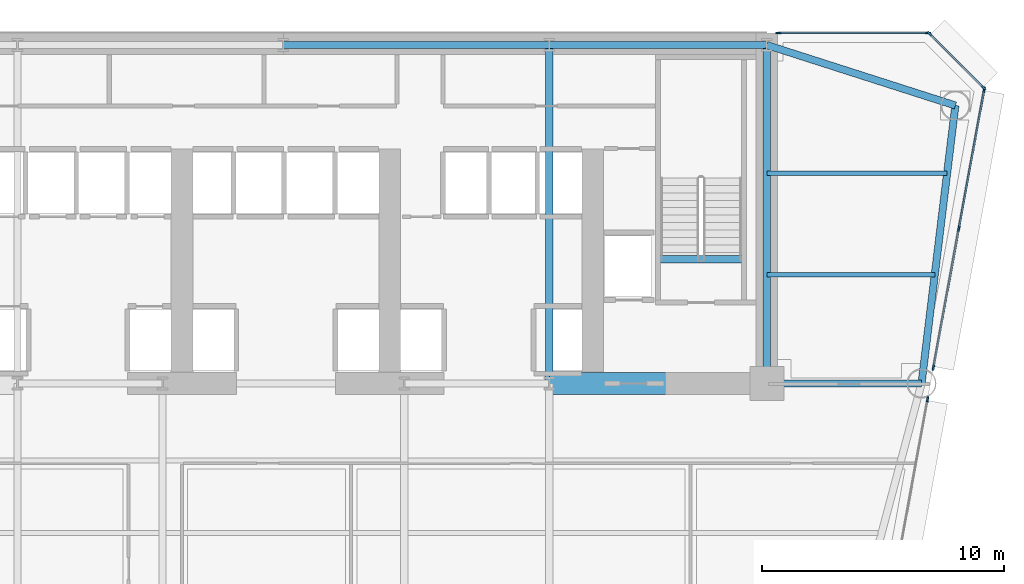
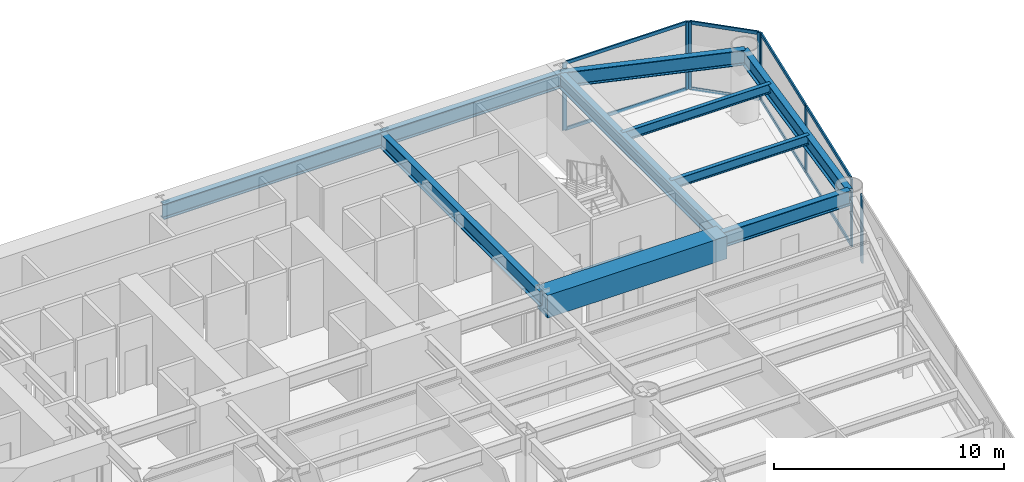
# One storey, part 6 of 14: 16 members, 11 beams, 4 elements without a shape of their own.
"""IFC4 building model written with IfcOpenShell, lengths in metres."""

from ifc_helpers import new_model, si_unit, direction, frame, origin, origin_2d, place, context, subcontext, project, spatial, rectangle, i_section, extrude, source, transform, mapped, material, layer, layer_set, material_profile, profile_set, type_object, element, aggregate, save


model = new_model("IFC4")

# Units and contexts
model_context = context("Model", 3, precision=1e-05, world=origin(), true_north=direction((0.0, 1.0)))
body_context = subcontext(model_context, "Body", "Model", "MODEL_VIEW")
ifc_project = project(units=[si_unit("LENGTHUNIT", "METRE"), si_unit("AREAUNIT", "SQUARE_METRE"), si_unit("VOLUMEUNIT", "CUBIC_METRE"), si_unit("PLANEANGLEUNIT", "RADIAN"), si_unit("MASSUNIT", "GRAM", prefix="KILO")], contexts=[model_context])

# Site, building, storey
site_placement = place(None, origin())
site = spatial("IfcSite", under=ifc_project, at=site_placement, CompositionType="ELEMENT")
building_placement = place(site_placement, origin())
building = spatial("IfcBuilding", under=site, at=building_placement, Name="Vaeldorn Concourse Tower", CompositionType="ELEMENT")
storey_placement = place(building_placement, frame((0.0, 0.0, 72.0)))
storey = spatial("IfcBuildingStorey", under=building, at=storey_placement, Name="L18", CompositionType="ELEMENT", Elevation=72.0)

# Beams
ifc_material_1 = material(Name="Concrete C60/75", Category="concrete")
ifc_material_profile_1 = material_profile(ifc_material_1, rectangle(XDim=0.89990234375, YDim=1.199951171875, at=origin_2d()), Name="RC 900x1200")
ifc_profile_set_1 = profile_set([ifc_material_profile_1], Name="Concrete C60/75")
beam_type_1 = type_object("IfcBeamType", Name="BM-CB-RC900", PredefinedType="BEAM", material=ifc_profile_set_1)
shared_shape_1 = source(origin(), body_context, "Body", "SweptSolid", [
    extrude(rectangle(XDim=0.89990234375, YDim=1.199951171875, at=origin_2d()), origin(), (0.0, 0.0, 1.0), 9.0),
])
beam_1_placement = place(storey_placement, frame((45.0, 36.5, 2.97998046875), z_axis=(1.0, 0.0, 0.0), x_axis=(0.0, 1.0, 0.0)))
element("IfcBeam", 1, at=beam_1_placement, inside=storey, type_object=beam_type_1, Name="Core Coupling Beam L18-2", PredefinedType="BEAM", context=body_context, shape_type="MappedRepresentation", body=[
    mapped(shared_shape_1, transform((0.0, 0.0, 0.0), scale=1.0)),
])
ifc_material_2 = material(Name="Steel S355", Category="steel")
ifc_material_profile_2 = material_profile(ifc_material_2, i_section(OverallWidth=0.300048828125, OverallDepth=0.340087890625, WebThickness=0.011962890625, FlangeThickness=0.021484375, FilletRadius=0.027099609375, at=origin_2d()), Name="HEB 340")
ifc_profile_set_2 = profile_set([ifc_material_profile_2], Name="Steel S355")
beam_type_2 = type_object("IfcBeamType", Name="BM-ST-TRIM", PredefinedType="BEAM", material=ifc_profile_set_2)
shared_shape_2 = source(origin(), body_context, "Body", "SweptSolid", [
    extrude(i_section(OverallWidth=0.300048828125, OverallDepth=0.340087890625, WebThickness=0.011962890625, FlangeThickness=0.021484375, FilletRadius=0.027099609375, at=origin_2d()), origin(), (0.0, 0.0, 1.0), 3.590087890625),
])
beam_2_placement = place(storey_placement, frame((49.47998046875, 41.639892578125, -0.389892578125), z_axis=(1.0, 0.0, 0.0), x_axis=(0.0, 1.0, 0.0)))
element("IfcBeam", 2, at=beam_2_placement, inside=storey, type_object=beam_type_2, Name="Stair Landing Trimmer Beam ST-2 L18", PredefinedType="BEAM", context=body_context, shape_type="MappedRepresentation", body=[
    mapped(shared_shape_2, transform((0.0, 0.0, 0.0), scale=1.0)),
])
ifc_material_profile_3 = material_profile(ifc_material_2, i_section(OverallWidth=0.300048828125, OverallDepth=0.800048828125, WebThickness=0.017578125, FlangeThickness=0.032958984375, FilletRadius=0.030029296875, at=origin_2d()), Name="HEB 800")
ifc_profile_set_3 = profile_set([ifc_material_profile_3], Name="Steel S355")
beam_type_3 = type_object("IfcBeamType", Name="BM-PG-HEB800", PredefinedType="BEAM", material=ifc_profile_set_3)
shared_shape_3 = source(origin(), body_context, "Body", "SweptSolid", [
    extrude(i_section(OverallWidth=0.300048828125, OverallDepth=0.800048828125, WebThickness=0.017578125, FlangeThickness=0.032958984375, FilletRadius=0.030029296875, at=origin_2d()), origin(), (0.0, 0.0, 1.0), 9.0),
])
beam_3_placement = place(storey_placement, frame((45.0, 50.5, 3.179931640625), z_axis=(1.0, 0.0, 0.0), x_axis=(0.0, 1.0, 0.0)))
element("IfcBeam", 3, at=beam_3_placement, inside=storey, type_object=beam_type_3, Name="Beam BM-L18-C-HC4-C-HC5", PredefinedType="BEAM", context=body_context, shape_type="MappedRepresentation", body=[
    mapped(shared_shape_3, transform((0.0, 0.0, 0.0), scale=1.0)),
])
shared_shape_4 = source(origin(), body_context, "Body", "SweptSolid", [
    extrude(i_section(OverallWidth=0.300048828125, OverallDepth=0.800048828125, WebThickness=0.017578125, FlangeThickness=0.032958984375, FilletRadius=0.030029296875, at=origin_2d()), origin(), (0.0, 0.0, 1.0), 11.0),
])
beam_4_placement = place(storey_placement, frame((34.0, 50.5, 3.179931640625), z_axis=(1.0, 0.0, 0.0), x_axis=(0.0, 1.0, 0.0)))
element("IfcBeam", 4, at=beam_4_placement, inside=storey, type_object=beam_type_3, Name="Beam BM-L18-C-HC3-C-HC4", PredefinedType="BEAM", context=body_context, shape_type="MappedRepresentation", body=[
    mapped(shared_shape_4, transform((0.0, 0.0, 0.0), scale=1.0)),
])
shared_shape_5 = source(origin(), body_context, "Body", "SweptSolid", [
    extrude(i_section(OverallWidth=0.300048828125, OverallDepth=0.800048828125, WebThickness=0.017578125, FlangeThickness=0.032958984375, FilletRadius=0.030029296875, at=origin_2d()), origin(), (0.0, 0.0, 1.0), 14.0),
])
for number, where, z_axis, x_axis, name in (
    (5, (45.0, 36.5, 3.179931640625), (0.0, 1.0, 0.0), (-1.0, 0.0, 0.0), "Beam BM-L18-C-FC5-C-HC4"),
    (6, (54.0, 36.5, 3.179931640625), (0.0, 1.0, 0.0), (-1.0, 0.0, 0.0), "Beam BM-L18-C-FC6-C-HC5"),
):
    element("IfcBeam", number, at=place(storey_placement, frame(where, z_axis=z_axis, x_axis=x_axis)), inside=storey, type_object=beam_type_3, Name=name, PredefinedType="BEAM", context=body_context, shape_type="MappedRepresentation", body=[
        mapped(shared_shape_5, transform((0.0, 0.0, 0.0), scale=1.0)),
    ])
shared_shape_6 = source(origin(), body_context, "Body", "SweptSolid", [
    extrude(i_section(OverallWidth=0.300048828125, OverallDepth=0.800048828125, WebThickness=0.017578125, FlangeThickness=0.032958984375, FilletRadius=0.030029296875, at=origin_2d()), origin(), (0.0, 0.0, 1.0), 8.19091796875),
])
beam_5_placement = place(storey_placement, frame((54.0, 50.5, 3.179931640625), z_axis=(0.952282843383, -0.305216949396, 0.0), x_axis=(0.305216949396, 0.952282843383, 0.0)))
element("IfcBeam", 7, at=beam_5_placement, inside=storey, type_object=beam_type_3, Name="Beam BM-L18-C-HC5-C-NE1", PredefinedType="BEAM", context=body_context, shape_type="MappedRepresentation", body=[
    mapped(shared_shape_6, transform((0.0, 0.0, 0.0), scale=1.0)),
])
shared_shape_7 = source(origin(), body_context, "Body", "SweptSolid", [
    extrude(i_section(OverallWidth=0.300048828125, OverallDepth=0.800048828125, WebThickness=0.017578125, FlangeThickness=0.032958984375, FilletRadius=0.030029296875, at=origin_2d()), origin(), (0.0, 0.0, 1.0), 11.5849609375),
])
beam_6_placement = place(storey_placement, frame((61.800048828125, 48.0, 3.179931640625), z_axis=(-0.120859382899, -0.992669637677, 0.0), x_axis=(0.992669637677, -0.120859382899, 0.0)))
element("IfcBeam", 8, at=beam_6_placement, inside=storey, type_object=beam_type_3, Name="Beam BM-L18-C-NE1-C-NE2", PredefinedType="BEAM", context=body_context, shape_type="MappedRepresentation", body=[
    mapped(shared_shape_7, transform((0.0, 0.0, 0.0), scale=1.0)),
])
shared_shape_8 = source(origin(), body_context, "Body", "SweptSolid", [
    extrude(i_section(OverallWidth=0.300048828125, OverallDepth=0.800048828125, WebThickness=0.017578125, FlangeThickness=0.032958984375, FilletRadius=0.030029296875, at=origin_2d()), origin(), (0.0, 0.0, 1.0), 6.39990234375),
])
beam_7_placement = place(storey_placement, frame((54.0, 36.5, 3.179931640625), z_axis=(1.0, 0.0, 0.0), x_axis=(0.0, 1.0, 0.0)))
element("IfcBeam", 9, at=beam_7_placement, inside=storey, type_object=beam_type_3, Name="Beam BM-L18-C-FC6-C-NE2", PredefinedType="BEAM", context=body_context, shape_type="MappedRepresentation", body=[
    mapped(shared_shape_8, transform((0.0, 0.0, 0.0), scale=1.0)),
])
ifc_material_profile_4 = material_profile(ifc_material_2, i_section(OverallWidth=0.199951171875, OverallDepth=0.5, WebThickness=0.01025390625, FlangeThickness=0.01611328125, FilletRadius=0.02099609375, at=origin_2d()), Name="IPE 500")
ifc_profile_set_4 = profile_set([ifc_material_profile_4], Name="Steel S355")
beam_type_4 = type_object("IfcBeamType", Name="BM-JS-IPE500", PredefinedType="JOIST", material=ifc_profile_set_4)
shared_shape_9 = source(origin(), body_context, "Body", "SweptSolid", [
    extrude(i_section(OverallWidth=0.199951171875, OverallDepth=0.5, WebThickness=0.01025390625, FlangeThickness=0.01611328125, FilletRadius=0.02099609375, at=origin_2d()), origin(), (0.0, 0.0, 1.0), 6.94775390625),
])
beam_8_placement = place(storey_placement, frame((54.0, 41.0, 3.330078125), z_axis=(1.0, 0.0, 0.0), x_axis=(0.0, 1.0, 0.0)))
element("IfcBeam", 10, at=beam_8_placement, inside=storey, type_object=beam_type_4, Name="Beam JS-L18-NE-410", PredefinedType="JOIST", context=body_context, shape_type="MappedRepresentation", body=[
    mapped(shared_shape_9, transform((0.0, 0.0, 0.0), scale=1.0)),
])
shared_shape_10 = source(origin(), body_context, "Body", "SweptSolid", [
    extrude(i_section(OverallWidth=0.199951171875, OverallDepth=0.5, WebThickness=0.01025390625, FlangeThickness=0.01611328125, FilletRadius=0.02099609375, at=origin_2d()), origin(), (0.0, 0.0, 1.0), 7.458984375),
])
beam_9_placement = place(storey_placement, frame((54.0, 45.199951171875, 3.330078125), z_axis=(1.0, 0.0, 0.0), x_axis=(0.0, 1.0, 0.0)))
element("IfcBeam", 11, at=beam_9_placement, inside=storey, type_object=beam_type_4, Name="Beam JS-L18-NE-452", PredefinedType="JOIST", context=body_context, shape_type="MappedRepresentation", body=[
    mapped(shared_shape_10, transform((0.0, 0.0, 0.0), scale=1.0)),
])

# Curtain wall, members
ifc_material_3 = material(Name="Anodised Bronze Aluminium", Category="aluminium")
ifc_layer = layer(ifc_material_3, 0.219970703125)
ifc_layer_set = layer_set([ifc_layer], Name="Anodised Bronze Aluminium")
curtain_wall_type = type_object("IfcCurtainWallType", Name="CW-SYS-01", PredefinedType="NOTDEFINED", material=ifc_layer_set)
curtain_wall_1_placement = place(storey_placement, origin())
curtain_wall_1 = element("IfcCurtainWall", 12, at=curtain_wall_1_placement, inside=storey, type_object=curtain_wall_type, Name="Unitised Curtain Wall CW-L18-E08-1", PredefinedType="NOTDEFINED")
ifc_material_profile_5 = material_profile(ifc_material_3, rectangle(XDim=0.074951171875, YDim=0.179931640625, at=origin_2d()), Name="CWT 75x180")
ifc_profile_set_5 = profile_set([ifc_material_profile_5], Name="Anodised Bronze Aluminium")
member_type_1 = type_object("IfcMemberType", Name="CWT-BRONZE-180", PredefinedType="USERDEFINED", material=ifc_profile_set_5)
shared_shape_11 = source(origin(), body_context, "Body", "SweptSolid", [
    extrude(rectangle(XDim=0.074951171875, YDim=0.179931640625, at=origin_2d()), origin(), (0.0, 0.0, 1.0), 3.10302734375),
])
member_1_placement = place(storey_placement, frame((62.947021484375, 48.7529296875, 0.03759765625), z_axis=(-0.707106781187, 0.707106781187, 0.0), x_axis=(-0.707106781187, -0.707106781187, 0.0)))
member_1 = element("IfcMember", 13, at=member_1_placement, type_object=member_type_1, Name="CW-01 transom 1.1", ObjectType="TRANSOM", PredefinedType="USERDEFINED", context=body_context, shape_type="MappedRepresentation", body=[
    mapped(shared_shape_11, transform((0.0, 0.0, 0.0), scale=1.0)),
])
member_2_placement = place(storey_placement, frame((62.947021484375, 48.7529296875, 3.54248046875), z_axis=(-0.707106781187, 0.707106781187, 0.0), x_axis=(-0.707106781187, -0.707106781187, 0.0)))
member_2 = element("IfcMember", 14, at=member_2_placement, type_object=member_type_1, Name="CW-01 transom 1.2", ObjectType="TRANSOM", PredefinedType="USERDEFINED", context=body_context, shape_type="MappedRepresentation", body=[
    mapped(shared_shape_11, transform((0.0, 0.0, 0.0), scale=1.0)),
])

curtain_wall_2_placement = place(storey_placement, origin())
curtain_wall_2 = element("IfcCurtainWall", 15, at=curtain_wall_2_placement, inside=storey, type_object=curtain_wall_type, Name="Unitised Curtain Wall CW-L18-E09-1", PredefinedType="NOTDEFINED")
shared_shape_12 = source(origin(), body_context, "Body", "SweptSolid", [
    extrude(rectangle(XDim=0.074951171875, YDim=0.179931640625, at=origin_2d()), origin(), (0.0, 0.0, 1.0), 6.10498046875),
])
member_3_placement = place(storey_placement, frame((60.625, 51.0, 0.03759765625), z_axis=(-1.0, 0.0, 0.0), x_axis=(0.0, -1.0, 0.0)))
member_3 = element("IfcMember", 16, at=member_3_placement, type_object=member_type_1, Name="CW-01 transom 1.1", ObjectType="TRANSOM", PredefinedType="USERDEFINED", context=body_context, shape_type="MappedRepresentation", body=[
    mapped(shared_shape_12, transform((0.0, 0.0, 0.0), scale=1.0)),
])
member_4_placement = place(storey_placement, frame((60.625, 51.0, 3.54248046875), z_axis=(-1.0, 0.0, 0.0), x_axis=(0.0, -1.0, 0.0)))
member_4 = element("IfcMember", 17, at=member_4_placement, type_object=member_type_1, Name="CW-01 transom 1.2", ObjectType="TRANSOM", PredefinedType="USERDEFINED", context=body_context, shape_type="MappedRepresentation", body=[
    mapped(shared_shape_12, transform((0.0, 0.0, 0.0), scale=1.0)),
])

# Curtain wall, member
curtain_wall_3_placement = place(storey_placement, origin())
curtain_wall_3 = element("IfcCurtainWall", 18, at=curtain_wall_3_placement, inside=storey, type_object=curtain_wall_type, Name="Unitised Curtain Wall CW-L18-E07-1", PredefinedType="NOTDEFINED")
ifc_material_profile_6 = material_profile(ifc_material_3, rectangle(XDim=0.074951171875, YDim=0.219970703125, at=origin_2d()), Name="CWM 75x220")
ifc_profile_set_6 = profile_set([ifc_material_profile_6], Name="Anodised Bronze Aluminium")
member_type_2 = type_object("IfcMemberType", Name="CWM-BRONZE-220", PredefinedType="MULLION", material=ifc_profile_set_6)
shared_shape_13 = source(origin(), body_context, "Body", "SweptSolid", [
    extrude(rectangle(XDim=0.074951171875, YDim=0.219970703125, at=origin_2d()), origin(), (0.0, 0.0, 1.0), 3.580078125),
])
member_5_placement = place(storey_placement, frame((60.652099609375, 35.843505859375, 0.0), z_axis=(0.0, 0.0, 1.0), x_axis=(-0.983729199794, 0.179657622921, 0.0)))
member_5 = element("IfcMember", 19, at=member_5_placement, type_object=member_type_2, Name="CW-01 mullion 6", PredefinedType="MULLION", context=body_context, shape_type="MappedRepresentation", body=[
    mapped(shared_shape_13, transform((0.0, 0.0, 0.0), scale=1.0)),
])
aggregate(curtain_wall_3, [member_5])

# Curtain wall, members
curtain_wall_4_placement = place(storey_placement, origin())
curtain_wall_4 = element("IfcCurtainWall", 20, at=curtain_wall_4_placement, inside=storey, type_object=curtain_wall_type, Name="Unitised Curtain Wall CW-L18-E07-2", PredefinedType="NOTDEFINED")
member_6_placement = place(storey_placement, frame((60.891845703125, 37.156494140625, 0.0), z_axis=(0.0, 0.0, 1.0), x_axis=(-0.98372975252, 0.179654596399, 0.0)))
member_6 = element("IfcMember", 21, at=member_6_placement, type_object=member_type_2, Name="CW-01 mullion 1", PredefinedType="MULLION", context=body_context, shape_type="MappedRepresentation", body=[
    mapped(shared_shape_13, transform((0.0, 0.0, 0.0), scale=1.0)),
])
member_7_placement = place(storey_placement, frame((61.942626953125, 42.90966796875, 0.0), z_axis=(0.0, 0.0, 1.0), x_axis=(-0.98372975252, 0.179654596399, 0.0)))
member_7 = element("IfcMember", 22, at=member_7_placement, type_object=member_type_2, Name="CW-01 mullion 2", PredefinedType="MULLION", context=body_context, shape_type="MappedRepresentation", body=[
    mapped(shared_shape_13, transform((0.0, 0.0, 0.0), scale=1.0)),
])
member_8_placement = place(storey_placement, frame((62.9931640625, 48.6630859375, 0.0), z_axis=(0.0, 0.0, 1.0), x_axis=(-0.98372975252, 0.179654596399, 0.0)))
member_8 = element("IfcMember", 23, at=member_8_placement, type_object=member_type_2, Name="CW-01 mullion 3", PredefinedType="MULLION", context=body_context, shape_type="MappedRepresentation", body=[
    mapped(shared_shape_13, transform((0.0, 0.0, 0.0), scale=1.0)),
])

# Member
member_9_placement = place(storey_placement, frame((62.973388671875, 48.7265625, 0.0), z_axis=(0.0, 0.0, 1.0), x_axis=(-0.707106781187, -0.707106781187, 0.0)))
member_9 = element("IfcMember", 24, at=member_9_placement, type_object=member_type_2, Name="CW-01 mullion 1", PredefinedType="MULLION", context=body_context, shape_type="MappedRepresentation", body=[
    mapped(shared_shape_13, transform((0.0, 0.0, 0.0), scale=1.0)),
])

member_10_placement = place(storey_placement, frame((60.7265625, 50.973388671875, 0.0), z_axis=(0.0, 0.0, 1.0), x_axis=(-0.707106781187, -0.707106781187, 0.0)))
member_10 = element("IfcMember", 25, at=member_10_placement, type_object=member_type_2, Name="CW-01 mullion 2", PredefinedType="MULLION", context=body_context, shape_type="MappedRepresentation", body=[
    mapped(shared_shape_13, transform((0.0, 0.0, 0.0), scale=1.0)),
])

aggregate(curtain_wall_1, [member_9, member_10, member_1, member_2])

member_11_placement = place(storey_placement, frame((60.66259765625, 51.0, 0.0), z_axis=(0.0, 0.0, 1.0), x_axis=(0.0, -1.0, 0.0)))
member_11 = element("IfcMember", 26, at=member_11_placement, type_object=member_type_2, Name="CW-01 mullion 1", PredefinedType="MULLION", context=body_context, shape_type="MappedRepresentation", body=[
    mapped(shared_shape_13, transform((0.0, 0.0, 0.0), scale=1.0)),
])

member_12_placement = place(storey_placement, frame((54.482421875, 51.0, 0.0), z_axis=(0.0, 0.0, 1.0), x_axis=(0.0, -1.0, 0.0)))
member_12 = element("IfcMember", 27, at=member_12_placement, type_object=member_type_2, Name="CW-01 mullion 2", PredefinedType="MULLION", context=body_context, shape_type="MappedRepresentation", body=[
    mapped(shared_shape_13, transform((0.0, 0.0, 0.0), scale=1.0)),
])

aggregate(curtain_wall_2, [member_11, member_12, member_3, member_4])

shared_shape_14 = source(origin(), body_context, "Body", "SweptSolid", [
    extrude(rectangle(XDim=0.074951171875, YDim=0.179931640625, at=origin_2d()), origin(), (0.0, 0.0, 1.0), 5.7734375),
])
member_13_placement = place(storey_placement, frame((60.898681640625, 37.193359375, 0.03759765625), z_axis=(0.179637087701, 0.983732949902, 0.0), x_axis=(-0.983732949902, 0.179637087701, 0.0)))
member_13 = element("IfcMember", 28, at=member_13_placement, type_object=member_type_1, Name="CW-01 transom 1.1", ObjectType="TRANSOM", PredefinedType="USERDEFINED", context=body_context, shape_type="MappedRepresentation", body=[
    mapped(shared_shape_14, transform((0.0, 0.0, 0.0), scale=1.0)),
])

member_14_placement = place(storey_placement, frame((60.898681640625, 37.193359375, 3.54248046875), z_axis=(0.179637087701, 0.983732949902, 0.0), x_axis=(-0.983732949902, 0.179637087701, 0.0)))
member_14 = element("IfcMember", 29, at=member_14_placement, type_object=member_type_1, Name="CW-01 transom 1.2", ObjectType="TRANSOM", PredefinedType="USERDEFINED", context=body_context, shape_type="MappedRepresentation", body=[
    mapped(shared_shape_14, transform((0.0, 0.0, 0.0), scale=1.0)),
])

shared_shape_15 = source(origin(), body_context, "Body", "SweptSolid", [
    extrude(rectangle(XDim=0.074951171875, YDim=0.179931640625, at=origin_2d()), origin(), (0.0, 0.0, 1.0), 5.773681640625),
])
member_15_placement = place(storey_placement, frame((61.94921875, 42.946533203125, 0.03759765625), z_axis=(0.179670535984, 0.983726841404, 0.0), x_axis=(-0.983726841404, 0.179670535984, 0.0)))
member_15 = element("IfcMember", 30, at=member_15_placement, type_object=member_type_1, Name="CW-01 transom 2.1", ObjectType="TRANSOM", PredefinedType="USERDEFINED", context=body_context, shape_type="MappedRepresentation", body=[
    mapped(shared_shape_15, transform((0.0, 0.0, 0.0), scale=1.0)),
])

member_16_placement = place(storey_placement, frame((61.94921875, 42.946533203125, 3.54248046875), z_axis=(0.179670535984, 0.983726841404, 0.0), x_axis=(-0.983726841404, 0.179670535984, 0.0)))
member_16 = element("IfcMember", 31, at=member_16_placement, type_object=member_type_1, Name="CW-01 transom 2.2", ObjectType="TRANSOM", PredefinedType="USERDEFINED", context=body_context, shape_type="MappedRepresentation", body=[
    mapped(shared_shape_15, transform((0.0, 0.0, 0.0), scale=1.0)),
])

aggregate(curtain_wall_4, [member_6, member_7, member_8, member_13, member_14, member_15, member_16])

save(model, "model.ifc")
